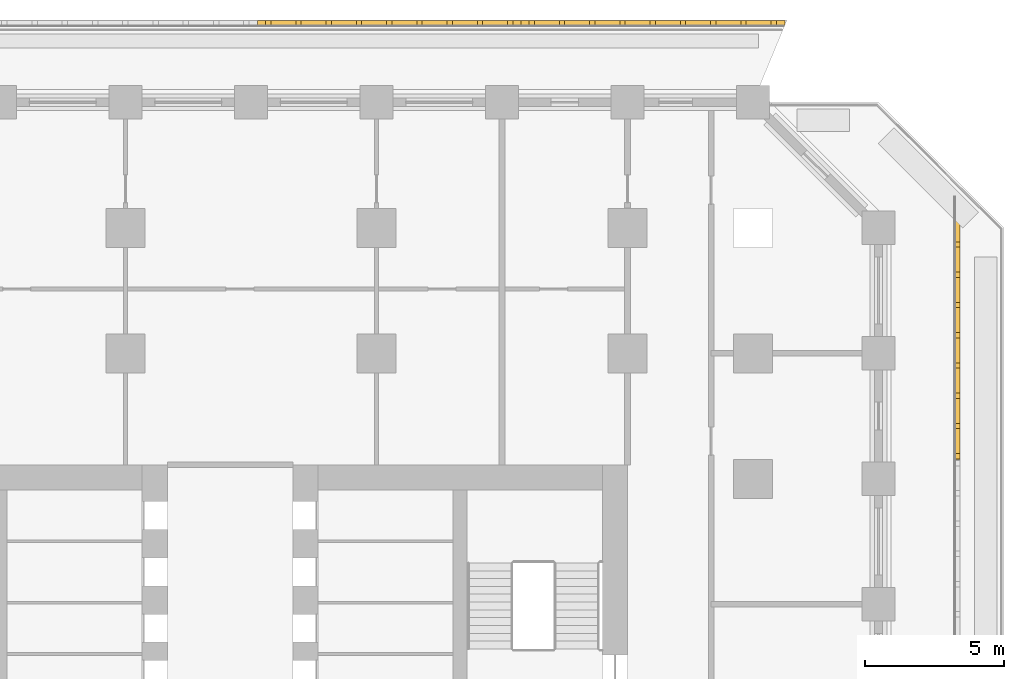
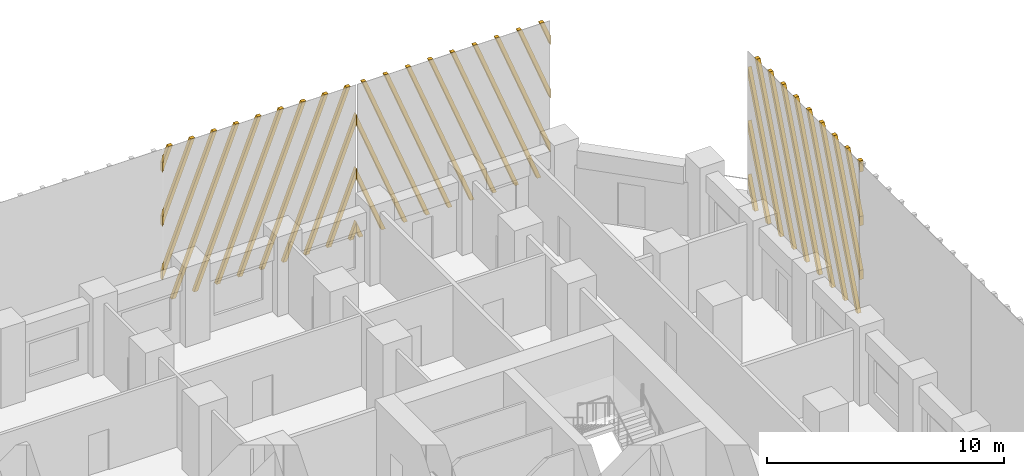
# One storey, part 18 of 19: 3 shading devices.
"""IFC4 building model written with IfcOpenShell, lengths in metres."""

from ifc_helpers import new_model, si_unit, direction, frame, origin, place, context, subcontext, project, spatial, polyline, outline, extrude, source, transform, mapped, material, type_object, element, save


model = new_model("IFC4")

# Units and contexts
model_context = context("Model", 3, precision=1e-05, world=origin(), true_north=direction((0.0, 1.0)))
body_context = subcontext(model_context, "Body", "Model", "MODEL_VIEW")
ifc_project = project(units=[si_unit("LENGTHUNIT", "METRE"), si_unit("AREAUNIT", "SQUARE_METRE"), si_unit("VOLUMEUNIT", "CUBIC_METRE"), si_unit("PLANEANGLEUNIT", "RADIAN"), si_unit("MASSUNIT", "GRAM", prefix="KILO")], contexts=[model_context])

# Site, building, storey
site_placement = place(None, origin())
site = spatial("IfcSite", under=ifc_project, at=site_placement, CompositionType="ELEMENT")
building_placement = place(site_placement, origin())
building = spatial("IfcBuilding", under=site, at=building_placement, Name="Corbel Stack Research Tower", CompositionType="ELEMENT")
storey_placement = place(building_placement, frame((0.0, 0.0, 116.699951171875)))
storey = spatial("IfcBuildingStorey", under=building, at=storey_placement, Name="L26", CompositionType="ELEMENT", Elevation=116.699951171875)

# Shading devices
ifc_material = material(Name="Precast terracotta", Category="masonry")
shading_device_type = type_object("IfcShadingDeviceType", Name="Terracotta screen panel", PredefinedType="USERDEFINED", material=ifc_material)
shared_shape_1 = source(origin(), body_context, "Body", "SweptSolid", [
    extrude(outline(polyline([(0.217041015625, 7.949951171875), (0.027099609375, 7.949951171875), (0.0, 7.880859375), (0.0, 7.394287109375), (0.217041015625, 7.949951171875)])), frame((0.0, 0.0, 0.0), z_axis=(0.0, -1.0, 0.0), x_axis=(1.0, 0.0, 0.0)), (0.0, 0.0, 1.0), 0.179931640625),
    extrude(outline(polyline([(1.3017578125, 7.949951171875), (1.11181640625, 7.949951171875), (0.0, 5.103515625), (0.0, 4.616943359375), (1.3017578125, 7.949951171875)])), frame((0.0, 0.0, 0.0), z_axis=(0.0, -1.0, 0.0), x_axis=(1.0, 0.0, 0.0)), (0.0, 0.0, 1.0), 0.179931640625),
    extrude(outline(polyline([(2.386474609375, 7.949951171875), (2.1962890625, 7.949951171875), (0.0, 2.326171875), (0.0, 1.839599609375), (2.386474609375, 7.949951171875)])), frame((0.0, 0.0, 0.0), z_axis=(0.0, -1.0, 0.0), x_axis=(1.0, 0.0, 0.0)), (0.0, 0.0, 1.0), 0.179931640625),
    extrude(outline(polyline([(0.3662109375, 0.0), (3.470947265625, 7.949951171875), (3.281005859375, 7.949951171875), (0.17626953125, 0.0), (0.3662109375, 0.0)])), frame((0.0, 0.0, 0.0), z_axis=(0.0, -1.0, 0.0), x_axis=(1.0, 0.0, 0.0)), (0.0, 0.0, 1.0), 0.179931640625),
    extrude(outline(polyline([(1.45068359375, 0.0), (4.5556640625, 7.949951171875), (4.36572265625, 7.949951171875), (1.2607421875, 0.0), (1.45068359375, 0.0)])), frame((0.0, 0.0, 0.0), z_axis=(0.0, -1.0, 0.0), x_axis=(1.0, 0.0, 0.0)), (0.0, 0.0, 1.0), 0.179931640625),
    extrude(outline(polyline([(2.535400390625, 0.0), (5.640380859375, 7.949951171875), (5.4501953125, 7.949951171875), (2.345458984375, 0.0), (2.535400390625, 0.0)])), frame((0.0, 0.0, 0.0), z_axis=(0.0, -1.0, 0.0), x_axis=(1.0, 0.0, 0.0)), (0.0, 0.0, 1.0), 0.179931640625),
    extrude(outline(polyline([(3.6201171875, 0.0), (6.72509765625, 7.949951171875), (6.534912109375, 7.949951171875), (3.43017578125, 0.0), (3.6201171875, 0.0)])), frame((0.0, 0.0, 0.0), z_axis=(0.0, -1.0, 0.0), x_axis=(1.0, 0.0, 0.0)), (0.0, 0.0, 1.0), 0.179931640625),
    extrude(outline(polyline([(4.704833984375, 0.0), (7.809814453125, 7.949951171875), (7.61962890625, 7.949951171875), (4.514892578125, 0.0), (4.704833984375, 0.0)])), frame((0.0, 0.0, 0.0), z_axis=(0.0, -1.0, 0.0), x_axis=(1.0, 0.0, 0.0)), (0.0, 0.0, 1.0), 0.179931640625),
    extrude(outline(polyline([(5.78955078125, 0.0), (8.894287109375, 7.949951171875), (8.704345703125, 7.949951171875), (5.599609375, 0.0), (5.78955078125, 0.0)])), frame((0.0, 0.0, 0.0), z_axis=(0.0, -1.0, 0.0), x_axis=(1.0, 0.0, 0.0)), (0.0, 0.0, 1.0), 0.179931640625),
    extrude(outline(polyline([(6.874267578125, 0.0), (9.45556640625, 6.60986328125), (9.45556640625, 7.096435546875), (6.68408203125, 0.0), (6.874267578125, 0.0)])), frame((0.0, 0.0, 0.0), z_axis=(0.0, -1.0, 0.0), x_axis=(1.0, 0.0, 0.0)), (0.0, 0.0, 1.0), 0.179931640625),
    extrude(outline(polyline([(7.958740234375, 0.0), (9.45556640625, 3.83251953125), (9.45556640625, 4.319091796875), (7.768798828125, 0.0), (7.958740234375, 0.0)])), frame((0.0, 0.0, 0.0), z_axis=(0.0, -1.0, 0.0), x_axis=(1.0, 0.0, 0.0)), (0.0, 0.0, 1.0), 0.179931640625),
    extrude(outline(polyline([(9.04345703125, 0.0), (9.45556640625, 1.055419921875), (9.45556640625, 1.541748046875), (8.853515625, 0.0), (9.04345703125, 0.0)])), frame((0.0, 0.0, 0.0), z_axis=(0.0, -1.0, 0.0), x_axis=(1.0, 0.0, 0.0)), (0.0, 0.0, 1.0), 0.179931640625),
])
shading_device_1_placement = place(storey_placement, frame((29.75, 18.68359375, 0.0), z_axis=(0.0, 0.0, 1.0), x_axis=(0.0, 1.0, 0.0)))
element("IfcShadingDevice", 1, at=shading_device_1_placement, inside=storey, type_object=shading_device_type, Name="Terracotta screen L26 E5", ObjectType="SCREEN", PredefinedType="USERDEFINED", context=body_context, shape_type="MappedRepresentation", body=[
    mapped(shared_shape_1, transform((0.0, 0.0, 0.0))),
])
shared_shape_2 = source(origin(), body_context, "Body", "SweptSolid", [
    extrude(outline(polyline([(0.48828125, 7.949951171875), (0.298095703125, 7.949951171875), (0.0, 7.1865234375), (0.0, 6.699951171875), (0.48828125, 7.949951171875)])), frame((0.0, 0.0, 0.0), z_axis=(0.0, -1.0, 0.0), x_axis=(1.0, 0.0, 0.0)), (0.0, 0.0, 1.0), 0.179931640625),
    extrude(outline(polyline([(1.572998046875, 7.949951171875), (1.3828125, 7.949951171875), (0.0, 4.4091796875), (0.0, 3.922607421875), (1.572998046875, 7.949951171875)])), frame((0.0, 0.0, 0.0), z_axis=(0.0, -1.0, 0.0), x_axis=(1.0, 0.0, 0.0)), (0.0, 0.0, 1.0), 0.179931640625),
    extrude(outline(polyline([(2.657470703125, 7.949951171875), (2.467529296875, 7.949951171875), (0.0, 1.6318359375), (0.0, 1.1455078125), (2.657470703125, 7.949951171875)])), frame((0.0, 0.0, 0.0), z_axis=(0.0, -1.0, 0.0), x_axis=(1.0, 0.0, 0.0)), (0.0, 0.0, 1.0), 0.179931640625),
    extrude(outline(polyline([(0.63720703125, 0.0), (3.7421875, 7.949951171875), (3.55224609375, 7.949951171875), (0.447265625, 0.0), (0.63720703125, 0.0)])), frame((0.0, 0.0, 0.0), z_axis=(0.0, -1.0, 0.0), x_axis=(1.0, 0.0, 0.0)), (0.0, 0.0, 1.0), 0.179931640625),
    extrude(outline(polyline([(1.721923828125, 0.0), (4.826904296875, 7.949951171875), (4.636962890625, 7.949951171875), (1.531982421875, 0.0), (1.721923828125, 0.0)])), frame((0.0, 0.0, 0.0), z_axis=(0.0, -1.0, 0.0), x_axis=(1.0, 0.0, 0.0)), (0.0, 0.0, 1.0), 0.179931640625),
    extrude(outline(polyline([(2.806640625, 0.0), (5.91162109375, 7.949951171875), (5.721435546875, 7.949951171875), (2.61669921875, 0.0), (2.806640625, 0.0)])), frame((0.0, 0.0, 0.0), z_axis=(0.0, -1.0, 0.0), x_axis=(1.0, 0.0, 0.0)), (0.0, 0.0, 1.0), 0.179931640625),
    extrude(outline(polyline([(3.891357421875, 0.0), (6.99609375, 7.949951171875), (6.80615234375, 7.949951171875), (3.701416015625, 0.0), (3.891357421875, 0.0)])), frame((0.0, 0.0, 0.0), z_axis=(0.0, -1.0, 0.0), x_axis=(1.0, 0.0, 0.0)), (0.0, 0.0, 1.0), 0.179931640625),
    extrude(outline(polyline([(4.97607421875, 0.0), (8.080810546875, 7.949951171875), (7.890869140625, 7.949951171875), (4.785888671875, 0.0), (4.97607421875, 0.0)])), frame((0.0, 0.0, 0.0), z_axis=(0.0, -1.0, 0.0), x_axis=(1.0, 0.0, 0.0)), (0.0, 0.0, 1.0), 0.179931640625),
    extrude(outline(polyline([(6.060791015625, 0.0), (9.16552734375, 7.949951171875), (8.9755859375, 7.949951171875), (5.87060546875, 0.0), (6.060791015625, 0.0)])), frame((0.0, 0.0, 0.0), z_axis=(0.0, -1.0, 0.0), x_axis=(1.0, 0.0, 0.0)), (0.0, 0.0, 1.0), 0.179931640625),
    extrude(outline(polyline([(7.145263671875, 0.0), (9.45556640625, 5.91552734375), (9.45556640625, 6.402099609375), (6.955322265625, 0.0), (7.145263671875, 0.0)])), frame((0.0, 0.0, 0.0), z_axis=(0.0, -1.0, 0.0), x_axis=(1.0, 0.0, 0.0)), (0.0, 0.0, 1.0), 0.179931640625),
    extrude(outline(polyline([(8.22998046875, 0.0), (9.45556640625, 3.13818359375), (9.45556640625, 3.624755859375), (8.0400390625, 0.0), (8.22998046875, 0.0)])), frame((0.0, 0.0, 0.0), z_axis=(0.0, -1.0, 0.0), x_axis=(1.0, 0.0, 0.0)), (0.0, 0.0, 1.0), 0.179931640625),
    extrude(outline(polyline([(9.314697265625, 0.0), (9.45556640625, 0.361083984375), (9.45556640625, 0.847412109375), (9.124755859375, 0.0), (9.314697265625, 0.0)])), frame((0.0, 0.0, 0.0), z_axis=(0.0, -1.0, 0.0), x_axis=(1.0, 0.0, 0.0)), (0.0, 0.0, 1.0), 0.179931640625),
])
shading_device_2_placement = place(storey_placement, frame((23.63916015625, 34.25, 0.0), z_axis=(0.0, 0.0, 1.0), x_axis=(-1.0, 0.0, 0.0)))
element("IfcShadingDevice", 2, at=shading_device_2_placement, inside=storey, type_object=shading_device_type, Name="Terracotta screen L26 N1", ObjectType="SCREEN", PredefinedType="USERDEFINED", context=body_context, shape_type="MappedRepresentation", body=[
    mapped(shared_shape_2, transform((0.0, 0.0, 0.0))),
])
shared_shape_3 = source(origin(), body_context, "Body", "SweptSolid", [
    extrude(outline(polyline([(0.3310546875, 0.0), (0.0, 0.847412109375), (0.0, 0.361083984375), (0.14111328125, 0.0), (0.3310546875, 0.0)])), frame((0.0, 0.0, 0.0), z_axis=(0.0, -1.0, 0.0), x_axis=(1.0, 0.0, 0.0)), (0.0, 0.0, 1.0), 0.179931640625),
    extrude(outline(polyline([(1.41552734375, 0.0), (0.0, 3.624755859375), (0.0, 3.13818359375), (1.2255859375, 0.0), (1.41552734375, 0.0)])), frame((0.0, 0.0, 0.0), z_axis=(0.0, -1.0, 0.0), x_axis=(1.0, 0.0, 0.0)), (0.0, 0.0, 1.0), 0.179931640625),
    extrude(outline(polyline([(2.500244140625, 0.0), (0.0, 6.402099609375), (0.0, 5.91552734375), (2.310302734375, 0.0), (2.500244140625, 0.0)])), frame((0.0, 0.0, 0.0), z_axis=(0.0, -1.0, 0.0), x_axis=(1.0, 0.0, 0.0)), (0.0, 0.0, 1.0), 0.179931640625),
    extrude(outline(polyline([(3.5849609375, 0.0), (0.47998046875, 7.949951171875), (0.2900390625, 7.949951171875), (3.39501953125, 0.0), (3.5849609375, 0.0)])), frame((0.0, 0.0, 0.0), z_axis=(0.0, -1.0, 0.0), x_axis=(1.0, 0.0, 0.0)), (0.0, 0.0, 1.0), 0.179931640625),
    extrude(outline(polyline([(4.669677734375, 0.0), (1.564697265625, 7.949951171875), (1.374755859375, 7.949951171875), (4.4794921875, 0.0), (4.669677734375, 0.0)])), frame((0.0, 0.0, 0.0), z_axis=(0.0, -1.0, 0.0), x_axis=(1.0, 0.0, 0.0)), (0.0, 0.0, 1.0), 0.179931640625),
    extrude(outline(polyline([(5.75439453125, 0.0), (2.6494140625, 7.949951171875), (2.45947265625, 7.949951171875), (5.564208984375, 0.0), (5.75439453125, 0.0)])), frame((0.0, 0.0, 0.0), z_axis=(0.0, -1.0, 0.0), x_axis=(1.0, 0.0, 0.0)), (0.0, 0.0, 1.0), 0.179931640625),
    extrude(outline(polyline([(6.839111328125, 0.0), (3.734130859375, 7.949951171875), (3.544189453125, 7.949951171875), (6.64892578125, 0.0), (6.839111328125, 0.0)])), frame((0.0, 0.0, 0.0), z_axis=(0.0, -1.0, 0.0), x_axis=(1.0, 0.0, 0.0)), (0.0, 0.0, 1.0), 0.179931640625),
    extrude(outline(polyline([(7.923583984375, 0.0), (4.81884765625, 7.949951171875), (4.62890625, 7.949951171875), (7.733642578125, 0.0), (7.923583984375, 0.0)])), frame((0.0, 0.0, 0.0), z_axis=(0.0, -1.0, 0.0), x_axis=(1.0, 0.0, 0.0)), (0.0, 0.0, 1.0), 0.179931640625),
    extrude(outline(polyline([(9.00830078125, 0.0), (5.903564453125, 7.949951171875), (5.71337890625, 7.949951171875), (8.818359375, 0.0), (9.00830078125, 0.0)])), frame((0.0, 0.0, 0.0), z_axis=(0.0, -1.0, 0.0), x_axis=(1.0, 0.0, 0.0)), (0.0, 0.0, 1.0), 0.179931640625),
    extrude(outline(polyline([(6.988037109375, 7.949951171875), (6.798095703125, 7.949951171875), (9.45556640625, 1.1455078125), (9.45556640625, 1.6318359375), (6.988037109375, 7.949951171875)])), frame((0.0, 0.0, 0.0), z_axis=(0.0, -1.0, 0.0), x_axis=(1.0, 0.0, 0.0)), (0.0, 0.0, 1.0), 0.179931640625),
    extrude(outline(polyline([(8.07275390625, 7.949951171875), (7.8828125, 7.949951171875), (9.45556640625, 3.922607421875), (9.45556640625, 4.4091796875), (8.07275390625, 7.949951171875)])), frame((0.0, 0.0, 0.0), z_axis=(0.0, -1.0, 0.0), x_axis=(1.0, 0.0, 0.0)), (0.0, 0.0, 1.0), 0.179931640625),
    extrude(outline(polyline([(9.157470703125, 7.949951171875), (8.96728515625, 7.949951171875), (9.45556640625, 6.699951171875), (9.45556640625, 7.1865234375), (9.157470703125, 7.949951171875)])), frame((0.0, 0.0, 0.0), z_axis=(0.0, -1.0, 0.0), x_axis=(1.0, 0.0, 0.0)), (0.0, 0.0, 1.0), 0.179931640625),
])
shading_device_3_placement = place(storey_placement, frame((14.18359375, 34.25, 0.0), z_axis=(0.0, 0.0, 1.0), x_axis=(-1.0, 0.0, 0.0)))
element("IfcShadingDevice", 3, at=shading_device_3_placement, inside=storey, type_object=shading_device_type, Name="Terracotta screen L26 N2", ObjectType="SCREEN", PredefinedType="USERDEFINED", context=body_context, shape_type="MappedRepresentation", body=[
    mapped(shared_shape_3, transform((0.0, 0.0, 0.0))),
])

save(model, "model.ifc")
